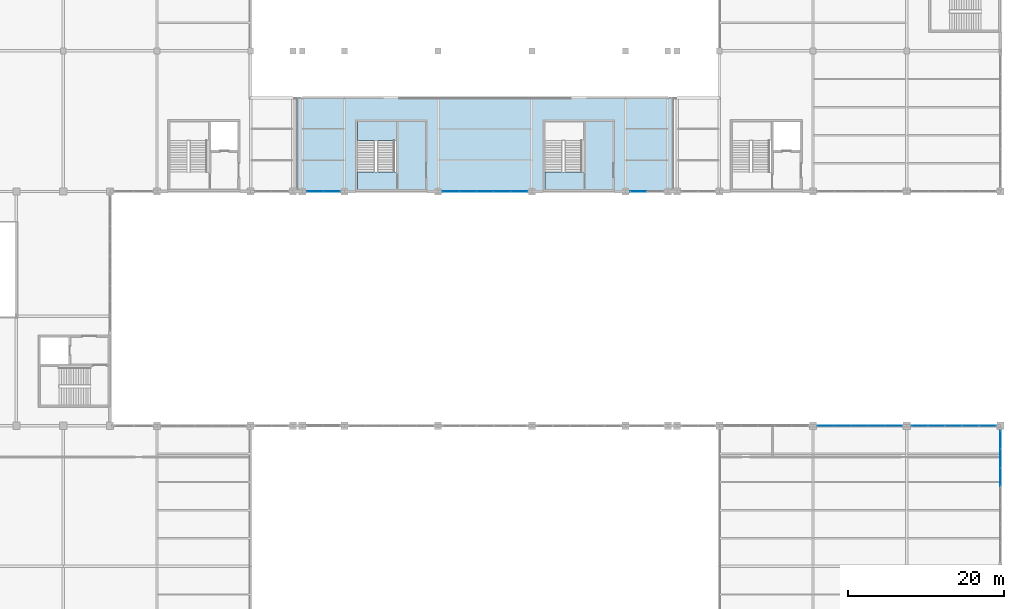
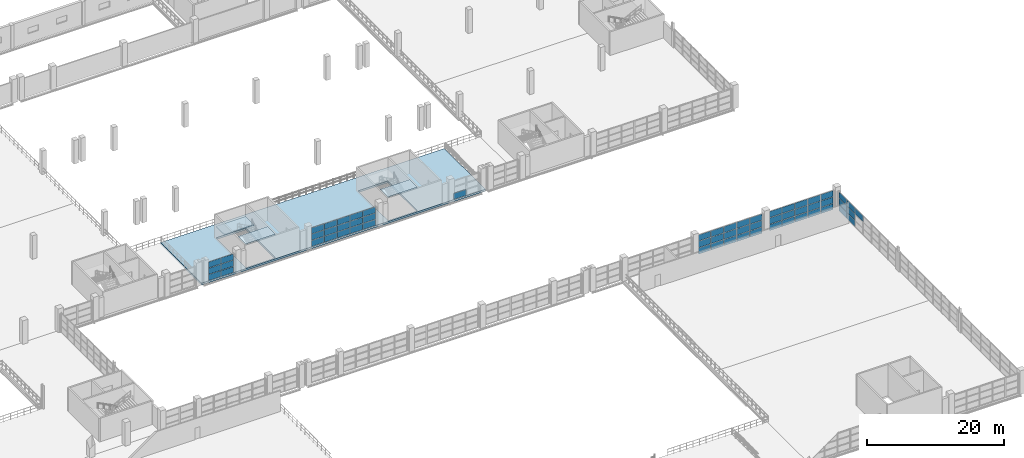
# One storey, part 133 of 158: 59 plates, 4 slabs, 8 elements without a shape of their own.
"""IFC4 building model written with IfcOpenShell, lengths in metres."""

import ifcopenshell
import ifcopenshell.guid

model = None  # the IFC model being written
_history = None  # IfcOwnerHistory: only IFC2X3 demands one
_inside = {}  # id of a spatial element -> (the spatial element, [elements in it])
_under = {}  # id of a project, library or spatial element -> (it, [spatial elements below it])
_declared = {}  # id of a project -> (the project, [libraries it declares])
_typed = {}  # id of a type object -> (the type object, [elements of that type])
_made_of = {}  # id of a material, layer set ... -> (it, [elements and type objects made of it])


def new_model(schema):
    """Start an empty IFC model of exactly this schema.

    Asked for "IFC4X3", IfcOpenShell would pick the latest addendum, in which some entities
    have other attributes; the version numbers below select the first issue.
    IFC2X3 requires an IfcOwnerHistory on every rooted entity: one is made here for all.
    """
    global model, _history
    if schema == "IFC4X3":
        model = ifcopenshell.file(schema_version=(4, 3, 0, 0))
    else:
        model = ifcopenshell.file(schema=schema)
    _inside.clear()
    _under.clear()
    _declared.clear()
    _typed.clear()
    _made_of.clear()
    _history = None
    if model.schema == "IFC2X3":
        org = make("IfcOrganization", Name="unknown")
        user = make(
            "IfcPersonAndOrganization",
            ThePerson=make("IfcPerson", FamilyName="unknown"),
            TheOrganization=org,
        )
        app = make(
            "IfcApplication",
            ApplicationDeveloper=org,
            Version="unknown",
            ApplicationFullName="unknown",
            ApplicationIdentifier="unknown",
        )
        _history = make(
            "IfcOwnerHistory",
            OwningUser=user,
            OwningApplication=app,
            ChangeAction="ADDED",
            CreationDate=0,
        )
    return model


def make(cls, **values):
    """One entity of the class cls with the attributes given. An attribute that is None is left unset."""
    return model.create_entity(
        cls, **{name: value for name, value in values.items() if value is not None}
    )


def rooted(cls, **values):
    """An entity with a GlobalId (a new one), such as an element, a storey or a relation."""
    return make(cls, GlobalId=ifcopenshell.guid.new(), OwnerHistory=_history, **values)


def si_unit(unit_type, name, prefix=None):
    """IfcSIUnit, for example si_unit("LENGTHUNIT", "METRE", prefix="MILLI")."""
    return make("IfcSIUnit", UnitType=unit_type, Prefix=prefix, Name=name)


def assignment(units):
    """IfcUnitAssignment: the units of a project."""
    return None if units is None else make("IfcUnitAssignment", Units=units)


def point(xyz):
    """IfcCartesianPoint."""
    return None if xyz is None else make("IfcCartesianPoint", Coordinates=xyz)


def direction(xyz):
    """IfcDirection."""
    return None if xyz is None else make("IfcDirection", DirectionRatios=xyz)


def frame(location, z_axis=None, x_axis=None):
    """IfcAxis2Placement3D, a coordinate frame: its origin and axes. An axis left out is left unset."""
    return make(
        "IfcAxis2Placement3D",
        Location=point(location),
        Axis=direction(z_axis),
        RefDirection=direction(x_axis),
    )


def frame_2d(location, x_axis=None):
    """IfcAxis2Placement2D, a coordinate frame in the plane: its origin and x axis."""
    return make(
        "IfcAxis2Placement2D", Location=point(location), RefDirection=direction(x_axis)
    )


def origin():
    """The frame at (0, 0, 0) with its axes left unset."""
    return frame((0.0, 0.0, 0.0))


def origin_2d():
    """The frame at (0, 0) in the plane with its x axis left unset."""
    return frame_2d((0.0, 0.0))


def place(relative_to, where):
    """IfcLocalPlacement: puts the frame where relative to a parent placement (None: the world)."""
    return make(
        "IfcLocalPlacement", PlacementRelTo=relative_to, RelativePlacement=where
    )


def context(
    kind, dimensions, precision=None, world=None, true_north=None, identifier=None
):
    """IfcGeometricRepresentationContext, for example the 3D "Model" context."""
    return make(
        "IfcGeometricRepresentationContext",
        ContextIdentifier=identifier,
        ContextType=kind,
        CoordinateSpaceDimension=dimensions,
        Precision=precision,
        WorldCoordinateSystem=world,
        TrueNorth=true_north,
    )


def subcontext(parent, identifier, kind, view, scale=None):
    """IfcGeometricRepresentationSubContext, for example "Body" below "Model"."""
    return make(
        "IfcGeometricRepresentationSubContext",
        ContextIdentifier=identifier,
        ContextType=kind,
        ParentContext=parent,
        TargetScale=scale,
        TargetView=view,
    )


def project(units=None, contexts=None):
    """IfcProject with its units and contexts."""
    return rooted(
        "IfcProject",
        Name="project",
        RepresentationContexts=contexts,
        UnitsInContext=assignment(units),
    )


def spatial(cls, under=None, at=None, **own):
    """A site, building, storey or space (cls), placed at a placement, below another one or the project."""
    s = rooted(cls, ObjectPlacement=at, **own)
    if under is not None:
        _under.setdefault(under.id(), (under, []))[1].append(s)
    return s


def polyline(points):
    """IfcPolyline through the points."""
    return make("IfcPolyline", Points=[point(p) for p in points])


def profile(cls, at=None, kind="AREA", **sizes):
    """A parametric profile (cls). Its sizes go by their IFC names, for example OverallWidth=200.0."""
    return make(cls, ProfileType=kind, Position=at, **sizes)


def rectangle(**sizes):
    """IfcRectangleProfileDef."""
    return profile("IfcRectangleProfileDef", **sizes)


def outline(outer, holes=None, kind="AREA"):
    """IfcArbitraryClosedProfileDef: a profile drawn as a closed curve; with holes, ...WithVoids."""
    if holes is None:
        return make("IfcArbitraryClosedProfileDef", ProfileType=kind, OuterCurve=outer)
    return make(
        "IfcArbitraryProfileDefWithVoids",
        ProfileType=kind,
        OuterCurve=outer,
        InnerCurves=holes,
    )


def extrude(swept, where, along, depth):
    """IfcExtrudedAreaSolid: the profile swept, set in the frame where, extruded along a direction by depth."""
    return make(
        "IfcExtrudedAreaSolid",
        SweptArea=swept,
        Position=where,
        ExtrudedDirection=direction(along),
        Depth=depth,
    )


def shape(context_of_items, identifier, shape_type, items):
    """IfcShapeRepresentation: the items that make up one representation, for example the "Body"."""
    return make(
        "IfcShapeRepresentation",
        ContextOfItems=context_of_items,
        RepresentationIdentifier=identifier,
        RepresentationType=shape_type,
        Items=items,
    )


def material(Name=None, Category=None):
    """IfcMaterial."""
    return make("IfcMaterial", Name=Name, Category=Category)


def layer(
    of_material, thickness, ventilated=None, Name=None, Category=None, Priority=None
):
    """IfcMaterialLayer: one layer of a wall or slab, of a material (None: an air gap)."""
    return make(
        "IfcMaterialLayer",
        Material=of_material,
        LayerThickness=thickness,
        IsVentilated=ventilated,
        Name=Name,
        Category=Category,
        Priority=Priority,
    )


def layer_set(layers, Name=None):
    """IfcMaterialLayerSet."""
    return make("IfcMaterialLayerSet", MaterialLayers=layers, LayerSetName=Name)


def made_of(thing, what):
    """Note that an element or type object is made of a material, layer set ...; save() writes the relation."""
    if what is not None:
        _made_of.setdefault(what.id(), (what, []))[1].append(thing)
    return thing


def type_object(cls, material=None, **own):
    """A type object (cls), such as IfcWallType, which elements share."""
    return made_of(rooted(cls, **own), material)


def element(
    cls,
    number,
    at=None,
    inside=None,
    cuts=None,
    type_object=None,
    material=None,
    context=None,
    identifier="Body",
    shape_type=None,
    held_by="IfcProductDefinitionShape",
    body=None,
    shapes=None,
    **own,
):
    """One element of the class cls, such as IfcWall. Its Tag is "e" and its number.

    at: its placement. inside: the storey or other place that contains it. cuts: it is an
    opening in that element (IfcRelVoidsElement). A single representation is given by context,
    identifier, shape_type and body (its items); several are given by shapes. held_by: the class
    of the entity that holds the representations. save() writes the other relations.
    """
    e = rooted(cls, Tag="e%d" % number, ObjectPlacement=at, **own)
    if body is not None:
        shapes = [shape(context, identifier, shape_type, body)]
    if shapes is not None:
        e.Representation = make(held_by, Representations=shapes)
    if inside is not None:
        _inside.setdefault(inside.id(), (inside, []))[1].append(e)
    if cuts is not None:
        rooted(
            "IfcRelVoidsElement", RelatingBuildingElement=cuts, RelatedOpeningElement=e
        )
    if type_object is not None:
        _typed.setdefault(type_object.id(), (type_object, []))[1].append(e)
    return made_of(e, material)


def aggregate(whole, parts):
    """IfcRelAggregates: a whole, such as a stair, and the parts it consists of."""
    return rooted("IfcRelAggregates", RelatingObject=whole, RelatedObjects=parts)


def save(model, path):
    """Write the relations noted so far, then the file.

    IfcRelAggregates (storeys below a building ...), IfcRelContainedInSpatialStructure (elements
    in a storey), IfcRelDefinesByType, IfcRelAssociatesMaterial and IfcRelDeclares: one each for
    every whole, place, type object, material and project.
    """
    for whole, parts in _under.values():
        aggregate(whole, parts)
    for where, things in _inside.values():
        rooted(
            "IfcRelContainedInSpatialStructure",
            RelatedElements=things,
            RelatingStructure=where,
        )
    for kind, things in _typed.values():
        rooted("IfcRelDefinesByType", RelatedObjects=things, RelatingType=kind)
    for what, things in _made_of.values():
        rooted("IfcRelAssociatesMaterial", RelatedObjects=things, RelatingMaterial=what)
    for by, libraries in _declared.values():
        rooted("IfcRelDeclares", RelatingContext=by, RelatedDefinitions=libraries)
    model.write(path)


model = new_model("IFC4")

# Units and contexts
model_context = context("Model", 3, precision=1e-05, world=origin(), true_north=direction((0.0, 1.0)))
body_context = subcontext(model_context, "Body", "Model", "MODEL_VIEW")
ifc_project = project(units=[si_unit("LENGTHUNIT", "METRE"), si_unit("AREAUNIT", "SQUARE_METRE"), si_unit("VOLUMEUNIT", "CUBIC_METRE"), si_unit("PLANEANGLEUNIT", "RADIAN"), si_unit("MASSUNIT", "GRAM", prefix="KILO")], contexts=[model_context])

# Site, building, storey
site_placement = place(None, origin())
site = spatial("IfcSite", under=ifc_project, at=site_placement, CompositionType="ELEMENT")
building_placement = place(site_placement, origin())
building = spatial("IfcBuilding", under=site, at=building_placement, Name="Zilviju Railside Exhibition Hall", CompositionType="ELEMENT")
storey_placement = place(building_placement, frame((0.0, 0.0, 4.199951171875)))
storey = spatial("IfcBuildingStorey", under=building, at=storey_placement, Name="L02", CompositionType="ELEMENT", Elevation=4.199951171875)

# Curtain wall, plates
ifc_material_1 = material(Name="Thermally broken aluminium-steel triple-glazed curtain wall", Category="steel")
ifc_layer_1 = layer(ifc_material_1, 0.179931640625)
ifc_layer_set_1 = layer_set([ifc_layer_1], Name="Thermally broken aluminium-steel triple-glazed curtain wall")
curtain_wall_type_1 = type_object("IfcCurtainWallType", Name="CW-BAY-07", PredefinedType="USERDEFINED", material=ifc_layer_set_1)
curtain_wall_1_placement = place(storey_placement, origin())
curtain_wall_1 = element("IfcCurtainWall", 1, at=curtain_wall_1_placement, inside=storey, type_object=curtain_wall_type_1, Name="South Hall Garden Court Curtain Wall L02 (192..204)", ObjectType="GLAZED CURTAIN WALL", PredefinedType="USERDEFINED")
ifc_material_2 = material(Name="Laminated acoustic double-glazed porch unit", Category="glass")
ifc_layer_2 = layer(ifc_material_2, 0.031982421875)
ifc_layer_set_2 = layer_set([ifc_layer_2], Name="Laminated acoustic double-glazed porch unit")
plate_type_1 = type_object("IfcPlateType", Name="CWP-IGU-32", PredefinedType="CURTAIN_PANEL", material=ifc_layer_set_2)
plate_1_placement = place(storey_placement, frame((193.655029296875, 54.0, 0.06005859375), z_axis=(0.0, 0.0, 1.0), x_axis=(1.0, 0.0, 0.0)))
plate_1 = element("IfcPlate", 2, at=plate_1_placement, type_object=plate_type_1, Name="CW-07 panel 1.1", PredefinedType="CURTAIN_PANEL", context=body_context, shape_type="SweptSolid", body=[
    extrude(rectangle(XDim=2.090087890625, YDim=0.031982421875, at=origin_2d()), origin(), (0.0, 0.0, 1.0), 1.096923828125),
])
plate_2_placement = place(storey_placement, frame((193.655029296875, 54.0, 1.217041015625), z_axis=(0.0, 0.0, 1.0), x_axis=(1.0, 0.0, 0.0)))
plate_2 = element("IfcPlate", 3, at=plate_2_placement, type_object=plate_type_1, Name="CW-07 panel 1.2", PredefinedType="CURTAIN_PANEL", context=body_context, shape_type="SweptSolid", body=[
    extrude(rectangle(XDim=2.090087890625, YDim=0.031982421875, at=origin_2d()), origin(), (0.0, 0.0, 1.0), 1.1259765625),
])
plate_3_placement = place(storey_placement, frame((193.655029296875, 54.0, 2.4033203125), z_axis=(0.0, 0.0, 1.0), x_axis=(1.0, 0.0, 0.0)))
plate_3 = element("IfcPlate", 4, at=plate_3_placement, type_object=plate_type_1, Name="CW-07 panel 1.3", PredefinedType="CURTAIN_PANEL", context=body_context, shape_type="SweptSolid", body=[
    extrude(rectangle(XDim=2.090087890625, YDim=0.031982421875, at=origin_2d()), origin(), (0.0, 0.0, 1.0), 1.096923828125),
])
plate_4_placement = place(storey_placement, frame((195.820068359375, 54.0, 0.06005859375), z_axis=(0.0, 0.0, 1.0), x_axis=(1.0, 0.0, 0.0)))
plate_4 = element("IfcPlate", 5, at=plate_4_placement, type_object=plate_type_1, Name="CW-07 panel 2.1", PredefinedType="CURTAIN_PANEL", context=body_context, shape_type="SweptSolid", body=[
    extrude(rectangle(XDim=2.1201171875, YDim=0.031982421875, at=origin_2d()), origin(), (0.0, 0.0, 1.0), 1.096923828125),
])
plate_5_placement = place(storey_placement, frame((195.820068359375, 54.0, 1.217041015625), z_axis=(0.0, 0.0, 1.0), x_axis=(1.0, 0.0, 0.0)))
plate_5 = element("IfcPlate", 6, at=plate_5_placement, type_object=plate_type_1, Name="CW-07 panel 2.2", PredefinedType="CURTAIN_PANEL", context=body_context, shape_type="SweptSolid", body=[
    extrude(rectangle(XDim=2.1201171875, YDim=0.031982421875, at=origin_2d()), origin(), (0.0, 0.0, 1.0), 1.1259765625),
])
plate_6_placement = place(storey_placement, frame((195.820068359375, 54.0, 2.4033203125), z_axis=(0.0, 0.0, 1.0), x_axis=(1.0, 0.0, 0.0)))
plate_6 = element("IfcPlate", 7, at=plate_6_placement, type_object=plate_type_1, Name="CW-07 panel 2.3", PredefinedType="CURTAIN_PANEL", context=body_context, shape_type="SweptSolid", body=[
    extrude(rectangle(XDim=2.1201171875, YDim=0.031982421875, at=origin_2d()), origin(), (0.0, 0.0, 1.0), 1.096923828125),
])
plate_7_placement = place(storey_placement, frame((198.0, 54.0, 0.06005859375), z_axis=(0.0, 0.0, 1.0), x_axis=(1.0, 0.0, 0.0)))
plate_7 = element("IfcPlate", 8, at=plate_7_placement, type_object=plate_type_1, Name="CW-07 panel 3.1", PredefinedType="CURTAIN_PANEL", context=body_context, shape_type="SweptSolid", body=[
    extrude(rectangle(XDim=2.1201171875, YDim=0.031982421875, at=origin_2d()), origin(), (0.0, 0.0, 1.0), 1.096923828125),
])
plate_8_placement = place(storey_placement, frame((198.0, 54.0, 1.217041015625), z_axis=(0.0, 0.0, 1.0), x_axis=(1.0, 0.0, 0.0)))
plate_8 = element("IfcPlate", 9, at=plate_8_placement, type_object=plate_type_1, Name="CW-07 panel 3.2", PredefinedType="CURTAIN_PANEL", context=body_context, shape_type="SweptSolid", body=[
    extrude(rectangle(XDim=2.1201171875, YDim=0.031982421875, at=origin_2d()), origin(), (0.0, 0.0, 1.0), 1.1259765625),
])
plate_9_placement = place(storey_placement, frame((198.0, 54.0, 2.4033203125), z_axis=(0.0, 0.0, 1.0), x_axis=(1.0, 0.0, 0.0)))
plate_9 = element("IfcPlate", 10, at=plate_9_placement, type_object=plate_type_1, Name="CW-07 panel 3.3", PredefinedType="CURTAIN_PANEL", context=body_context, shape_type="SweptSolid", body=[
    extrude(rectangle(XDim=2.1201171875, YDim=0.031982421875, at=origin_2d()), origin(), (0.0, 0.0, 1.0), 1.096923828125),
])
plate_10_placement = place(storey_placement, frame((200.179931640625, 54.0, 0.06005859375), z_axis=(0.0, 0.0, 1.0), x_axis=(1.0, 0.0, 0.0)))
plate_10 = element("IfcPlate", 11, at=plate_10_placement, type_object=plate_type_1, Name="CW-07 panel 4.1", PredefinedType="CURTAIN_PANEL", context=body_context, shape_type="SweptSolid", body=[
    extrude(rectangle(XDim=2.1201171875, YDim=0.031982421875, at=origin_2d()), origin(), (0.0, 0.0, 1.0), 1.096923828125),
])
plate_11_placement = place(storey_placement, frame((200.179931640625, 54.0, 1.217041015625), z_axis=(0.0, 0.0, 1.0), x_axis=(1.0, 0.0, 0.0)))
plate_11 = element("IfcPlate", 12, at=plate_11_placement, type_object=plate_type_1, Name="CW-07 panel 4.2", PredefinedType="CURTAIN_PANEL", context=body_context, shape_type="SweptSolid", body=[
    extrude(rectangle(XDim=2.1201171875, YDim=0.031982421875, at=origin_2d()), origin(), (0.0, 0.0, 1.0), 1.1259765625),
])
plate_12_placement = place(storey_placement, frame((200.179931640625, 54.0, 2.4033203125), z_axis=(0.0, 0.0, 1.0), x_axis=(1.0, 0.0, 0.0)))
plate_12 = element("IfcPlate", 13, at=plate_12_placement, type_object=plate_type_1, Name="CW-07 panel 4.3", PredefinedType="CURTAIN_PANEL", context=body_context, shape_type="SweptSolid", body=[
    extrude(rectangle(XDim=2.1201171875, YDim=0.031982421875, at=origin_2d()), origin(), (0.0, 0.0, 1.0), 1.096923828125),
])
plate_13_placement = place(storey_placement, frame((202.344970703125, 54.0, 0.06005859375), z_axis=(0.0, 0.0, 1.0), x_axis=(1.0, 0.0, 0.0)))
plate_13 = element("IfcPlate", 14, at=plate_13_placement, type_object=plate_type_1, Name="CW-07 panel 5.1", PredefinedType="CURTAIN_PANEL", context=body_context, shape_type="SweptSolid", body=[
    extrude(rectangle(XDim=2.090087890625, YDim=0.031982421875, at=origin_2d()), origin(), (0.0, 0.0, 1.0), 1.096923828125),
])
plate_14_placement = place(storey_placement, frame((202.344970703125, 54.0, 1.217041015625), z_axis=(0.0, 0.0, 1.0), x_axis=(1.0, 0.0, 0.0)))
plate_14 = element("IfcPlate", 15, at=plate_14_placement, type_object=plate_type_1, Name="CW-07 panel 5.2", PredefinedType="CURTAIN_PANEL", context=body_context, shape_type="SweptSolid", body=[
    extrude(rectangle(XDim=2.090087890625, YDim=0.031982421875, at=origin_2d()), origin(), (0.0, 0.0, 1.0), 1.1259765625),
])
plate_15_placement = place(storey_placement, frame((202.344970703125, 54.0, 2.4033203125), z_axis=(0.0, 0.0, 1.0), x_axis=(1.0, 0.0, 0.0)))
plate_15 = element("IfcPlate", 16, at=plate_15_placement, type_object=plate_type_1, Name="CW-07 panel 5.3", PredefinedType="CURTAIN_PANEL", context=body_context, shape_type="SweptSolid", body=[
    extrude(rectangle(XDim=2.090087890625, YDim=0.031982421875, at=origin_2d()), origin(), (0.0, 0.0, 1.0), 1.096923828125),
])
aggregate(curtain_wall_1, [plate_1, plate_2, plate_3, plate_4, plate_5, plate_6, plate_7, plate_8, plate_9, plate_10, plate_11, plate_12, plate_13, plate_14, plate_15])

# Curtain wall, plate
ifc_layer_3 = layer(ifc_material_1, 0.179931640625)
ifc_layer_set_3 = layer_set([ifc_layer_3], Name="Thermally broken aluminium-steel triple-glazed curtain wall")
curtain_wall_type_2 = type_object("IfcCurtainWallType", Name="CW-BAY-09", PredefinedType="USERDEFINED", material=ifc_layer_set_3)
curtain_wall_2_placement = place(storey_placement, origin())
curtain_wall_2 = element("IfcCurtainWall", 17, at=curtain_wall_2_placement, inside=storey, type_object=curtain_wall_type_2, Name="North Hall Garden Court Curtain Wall L02 (168..173)", ObjectType="GLAZED CURTAIN WALL", PredefinedType="USERDEFINED")
plate_16_placement = place(storey_placement, frame((169.639892578125, 84.0, 0.06005859375), z_axis=(0.0, 0.0, 1.0), x_axis=(-1.0, 0.0, 0.0)))
plate_16 = element("IfcPlate", 18, at=plate_16_placement, type_object=plate_type_1, Name="CW-09 panel 2.1", PredefinedType="CURTAIN_PANEL", context=body_context, shape_type="SweptSolid", body=[
    extrude(rectangle(XDim=2.06005859375, YDim=0.031982421875, at=origin_2d()), origin(), (0.0, 0.0, 1.0), 1.06005859375),
])
aggregate(curtain_wall_2, [plate_16])

# Curtain wall, plates
ifc_layer_4 = layer(ifc_material_1, 0.179931640625)
ifc_layer_set_4 = layer_set([ifc_layer_4], Name="Thermally broken aluminium-steel triple-glazed curtain wall")
curtain_wall_type_3 = type_object("IfcCurtainWallType", Name="CW-BAY-08", PredefinedType="USERDEFINED", material=ifc_layer_set_4)
curtain_wall_3_placement = place(storey_placement, origin())
curtain_wall_3 = element("IfcCurtainWall", 19, at=curtain_wall_3_placement, inside=storey, type_object=curtain_wall_type_3, Name="North Hall Garden Court Curtain Wall L02 (144..156)", ObjectType="GLAZED CURTAIN WALL", PredefinedType="USERDEFINED")
ifc_material_3 = material(Name="Triple-glazed solar-control glass unit", Category="glass")
ifc_layer_5 = layer(ifc_material_3, 0.0380859375)
ifc_layer_set_5 = layer_set([ifc_layer_5], Name="Triple-glazed solar-control glass unit")
plate_type_2 = type_object("IfcPlateType", Name="CWP-IGU-38", PredefinedType="CURTAIN_PANEL", material=ifc_layer_set_5)
plate_17_placement = place(storey_placement, frame((154.34375, 84.0, 0.06494140625), z_axis=(0.0, 0.0, 1.0), x_axis=(-1.0, 0.0, 0.0)))
plate_17 = element("IfcPlate", 20, at=plate_17_placement, type_object=plate_type_2, Name="CW-08 panel 1.1", PredefinedType="CURTAIN_PANEL", context=body_context, shape_type="SweptSolid", body=[
    extrude(rectangle(XDim=2.08251953125, YDim=0.0380859375, at=origin_2d()), origin(), (0.0, 0.0, 1.0), 1.052490234375),
])
plate_18_placement = place(storey_placement, frame((154.34375, 84.0, 1.1826171875), z_axis=(0.0, 0.0, 1.0), x_axis=(-1.0, 0.0, 0.0)))
plate_18 = element("IfcPlate", 21, at=plate_18_placement, type_object=plate_type_2, Name="CW-08 panel 1.2", PredefinedType="CURTAIN_PANEL", context=body_context, shape_type="SweptSolid", body=[
    extrude(rectangle(XDim=2.08251953125, YDim=0.0380859375, at=origin_2d()), origin(), (0.0, 0.0, 1.0), 1.0849609375),
])
plate_19_placement = place(storey_placement, frame((154.34375, 84.0, 2.33251953125), z_axis=(0.0, 0.0, 1.0), x_axis=(-1.0, 0.0, 0.0)))
plate_19 = element("IfcPlate", 22, at=plate_19_placement, type_object=plate_type_2, Name="CW-08 panel 1.3", PredefinedType="CURTAIN_PANEL", context=body_context, shape_type="SweptSolid", body=[
    extrude(rectangle(XDim=2.08251953125, YDim=0.0380859375, at=origin_2d()), origin(), (0.0, 0.0, 1.0), 1.052490234375),
])
plate_20_placement = place(storey_placement, frame((152.179931640625, 84.0, 0.06494140625), z_axis=(0.0, 0.0, 1.0), x_axis=(-1.0, 0.0, 0.0)))
plate_20 = element("IfcPlate", 23, at=plate_20_placement, type_object=plate_type_2, Name="CW-08 panel 2.1", PredefinedType="CURTAIN_PANEL", context=body_context, shape_type="SweptSolid", body=[
    extrude(rectangle(XDim=2.114990234375, YDim=0.0380859375, at=origin_2d()), origin(), (0.0, 0.0, 1.0), 1.052490234375),
])
plate_21_placement = place(storey_placement, frame((152.179931640625, 84.0, 1.1826171875), z_axis=(0.0, 0.0, 1.0), x_axis=(-1.0, 0.0, 0.0)))
plate_21 = element("IfcPlate", 24, at=plate_21_placement, type_object=plate_type_2, Name="CW-08 panel 2.2", PredefinedType="CURTAIN_PANEL", context=body_context, shape_type="SweptSolid", body=[
    extrude(rectangle(XDim=2.114990234375, YDim=0.0380859375, at=origin_2d()), origin(), (0.0, 0.0, 1.0), 1.0849609375),
])
plate_22_placement = place(storey_placement, frame((152.179931640625, 84.0, 2.33251953125), z_axis=(0.0, 0.0, 1.0), x_axis=(-1.0, 0.0, 0.0)))
plate_22 = element("IfcPlate", 25, at=plate_22_placement, type_object=plate_type_2, Name="CW-08 panel 2.3", PredefinedType="CURTAIN_PANEL", context=body_context, shape_type="SweptSolid", body=[
    extrude(rectangle(XDim=2.114990234375, YDim=0.0380859375, at=origin_2d()), origin(), (0.0, 0.0, 1.0), 1.052490234375),
])
plate_23_placement = place(storey_placement, frame((150.0, 84.0, 0.06494140625), z_axis=(0.0, 0.0, 1.0), x_axis=(-1.0, 0.0, 0.0)))
plate_23 = element("IfcPlate", 26, at=plate_23_placement, type_object=plate_type_2, Name="CW-08 panel 3.1", PredefinedType="CURTAIN_PANEL", context=body_context, shape_type="SweptSolid", body=[
    extrude(rectangle(XDim=2.114990234375, YDim=0.0380859375, at=origin_2d()), origin(), (0.0, 0.0, 1.0), 1.052490234375),
])
plate_24_placement = place(storey_placement, frame((150.0, 84.0, 1.1826171875), z_axis=(0.0, 0.0, 1.0), x_axis=(-1.0, 0.0, 0.0)))
plate_24 = element("IfcPlate", 27, at=plate_24_placement, type_object=plate_type_2, Name="CW-08 panel 3.2", PredefinedType="CURTAIN_PANEL", context=body_context, shape_type="SweptSolid", body=[
    extrude(rectangle(XDim=2.114990234375, YDim=0.0380859375, at=origin_2d()), origin(), (0.0, 0.0, 1.0), 1.0849609375),
])
plate_25_placement = place(storey_placement, frame((150.0, 84.0, 2.33251953125), z_axis=(0.0, 0.0, 1.0), x_axis=(-1.0, 0.0, 0.0)))
plate_25 = element("IfcPlate", 28, at=plate_25_placement, type_object=plate_type_2, Name="CW-08 panel 3.3", PredefinedType="CURTAIN_PANEL", context=body_context, shape_type="SweptSolid", body=[
    extrude(rectangle(XDim=2.114990234375, YDim=0.0380859375, at=origin_2d()), origin(), (0.0, 0.0, 1.0), 1.052490234375),
])
plate_26_placement = place(storey_placement, frame((147.820068359375, 84.0, 0.06494140625), z_axis=(0.0, 0.0, 1.0), x_axis=(-1.0, 0.0, 0.0)))
plate_26 = element("IfcPlate", 29, at=plate_26_placement, type_object=plate_type_2, Name="CW-08 panel 4.1", PredefinedType="CURTAIN_PANEL", context=body_context, shape_type="SweptSolid", body=[
    extrude(rectangle(XDim=2.114990234375, YDim=0.0380859375, at=origin_2d()), origin(), (0.0, 0.0, 1.0), 1.052490234375),
])
plate_27_placement = place(storey_placement, frame((147.820068359375, 84.0, 1.1826171875), z_axis=(0.0, 0.0, 1.0), x_axis=(-1.0, 0.0, 0.0)))
plate_27 = element("IfcPlate", 30, at=plate_27_placement, type_object=plate_type_2, Name="CW-08 panel 4.2", PredefinedType="CURTAIN_PANEL", context=body_context, shape_type="SweptSolid", body=[
    extrude(rectangle(XDim=2.114990234375, YDim=0.0380859375, at=origin_2d()), origin(), (0.0, 0.0, 1.0), 1.0849609375),
])
plate_28_placement = place(storey_placement, frame((147.820068359375, 84.0, 2.33251953125), z_axis=(0.0, 0.0, 1.0), x_axis=(-1.0, 0.0, 0.0)))
plate_28 = element("IfcPlate", 31, at=plate_28_placement, type_object=plate_type_2, Name="CW-08 panel 4.3", PredefinedType="CURTAIN_PANEL", context=body_context, shape_type="SweptSolid", body=[
    extrude(rectangle(XDim=2.114990234375, YDim=0.0380859375, at=origin_2d()), origin(), (0.0, 0.0, 1.0), 1.052490234375),
])
plate_29_placement = place(storey_placement, frame((145.65625, 84.0, 0.06494140625), z_axis=(0.0, 0.0, 1.0), x_axis=(-1.0, 0.0, 0.0)))
plate_29 = element("IfcPlate", 32, at=plate_29_placement, type_object=plate_type_2, Name="CW-08 panel 5.1", PredefinedType="CURTAIN_PANEL", context=body_context, shape_type="SweptSolid", body=[
    extrude(rectangle(XDim=2.08251953125, YDim=0.0380859375, at=origin_2d()), origin(), (0.0, 0.0, 1.0), 1.052490234375),
])
plate_30_placement = place(storey_placement, frame((145.65625, 84.0, 1.1826171875), z_axis=(0.0, 0.0, 1.0), x_axis=(-1.0, 0.0, 0.0)))
plate_30 = element("IfcPlate", 33, at=plate_30_placement, type_object=plate_type_2, Name="CW-08 panel 5.2", PredefinedType="CURTAIN_PANEL", context=body_context, shape_type="SweptSolid", body=[
    extrude(rectangle(XDim=2.08251953125, YDim=0.0380859375, at=origin_2d()), origin(), (0.0, 0.0, 1.0), 1.0849609375),
])
plate_31_placement = place(storey_placement, frame((145.65625, 84.0, 2.33251953125), z_axis=(0.0, 0.0, 1.0), x_axis=(-1.0, 0.0, 0.0)))
plate_31 = element("IfcPlate", 34, at=plate_31_placement, type_object=plate_type_2, Name="CW-08 panel 5.3", PredefinedType="CURTAIN_PANEL", context=body_context, shape_type="SweptSolid", body=[
    extrude(rectangle(XDim=2.08251953125, YDim=0.0380859375, at=origin_2d()), origin(), (0.0, 0.0, 1.0), 1.052490234375),
])
aggregate(curtain_wall_3, [plate_17, plate_18, plate_19, plate_20, plate_21, plate_22, plate_23, plate_24, plate_25, plate_26, plate_27, plate_28, plate_29, plate_30, plate_31])

ifc_layer_6 = layer(ifc_material_1, 0.179931640625)
ifc_layer_set_6 = layer_set([ifc_layer_6], Name="Thermally broken aluminium-steel triple-glazed curtain wall")
curtain_wall_type_4 = type_object("IfcCurtainWallType", Name="CW-BAY-11", PredefinedType="USERDEFINED", material=ifc_layer_set_6)
curtain_wall_4_placement = place(storey_placement, origin())
curtain_wall_4 = element("IfcCurtainWall", 35, at=curtain_wall_4_placement, inside=storey, type_object=curtain_wall_type_4, Name="South Hall East Glazed Gable L02 (36..54)", ObjectType="GLAZED CURTAIN WALL", PredefinedType="USERDEFINED")
ifc_material_4 = material(Name="Triple-glazed low-E argon insulating glass unit", Category="glass")
ifc_layer_7 = layer(ifc_material_4, 0.0439453125)
ifc_layer_set_7 = layer_set([ifc_layer_7], Name="Triple-glazed low-E argon insulating glass unit")
plate_type_3 = type_object("IfcPlateType", Name="CWP-IGU-44", PredefinedType="CURTAIN_PANEL", material=ifc_layer_set_7)
plate_32_placement = place(storey_placement, frame((216.0, 52.225341796875, 0.0703125), z_axis=(0.0, 0.0, 1.0), x_axis=(0.0, -1.0, 0.0)))
plate_32 = element("IfcPlate", 36, at=plate_32_placement, type_object=plate_type_3, Name="CW-11 panel 1.1", PredefinedType="CURTAIN_PANEL", context=body_context, shape_type="SweptSolid", body=[
    extrude(rectangle(XDim=2.309326171875, YDim=0.0439453125, at=origin_2d()), origin(), (0.0, 0.0, 1.0), 1.054931640625),
])
plate_33_placement = place(storey_placement, frame((216.0, 52.225341796875, 1.19482421875), z_axis=(0.0, 0.0, 1.0), x_axis=(0.0, -1.0, 0.0)))
plate_33 = element("IfcPlate", 37, at=plate_33_placement, type_object=plate_type_3, Name="CW-11 panel 1.2", PredefinedType="CURTAIN_PANEL", context=body_context, shape_type="SweptSolid", body=[
    extrude(rectangle(XDim=2.309326171875, YDim=0.0439453125, at=origin_2d()), origin(), (0.0, 0.0, 1.0), 1.090087890625),
])
plate_34_placement = place(storey_placement, frame((216.0, 52.225341796875, 2.35498046875), z_axis=(0.0, 0.0, 1.0), x_axis=(0.0, -1.0, 0.0)))
plate_34 = element("IfcPlate", 38, at=plate_34_placement, type_object=plate_type_3, Name="CW-11 panel 1.3", PredefinedType="CURTAIN_PANEL", context=body_context, shape_type="SweptSolid", body=[
    extrude(rectangle(XDim=2.309326171875, YDim=0.0439453125, at=origin_2d()), origin(), (0.0, 0.0, 1.0), 1.054931640625),
])
plate_35_placement = place(storey_placement, frame((216.0, 49.82861328125, 0.0703125), z_axis=(0.0, 0.0, 1.0), x_axis=(0.0, -1.0, 0.0)))
plate_35 = element("IfcPlate", 39, at=plate_35_placement, type_object=plate_type_3, Name="CW-11 panel 2.1", PredefinedType="CURTAIN_PANEL", context=body_context, shape_type="SweptSolid", body=[
    extrude(rectangle(XDim=2.34423828125, YDim=0.0439453125, at=origin_2d()), origin(), (0.0, 0.0, 1.0), 1.054931640625),
])
plate_36_placement = place(storey_placement, frame((216.0, 49.82861328125, 1.19482421875), z_axis=(0.0, 0.0, 1.0), x_axis=(0.0, -1.0, 0.0)))
plate_36 = element("IfcPlate", 40, at=plate_36_placement, type_object=plate_type_3, Name="CW-11 panel 2.2", PredefinedType="CURTAIN_PANEL", context=body_context, shape_type="SweptSolid", body=[
    extrude(rectangle(XDim=2.34423828125, YDim=0.0439453125, at=origin_2d()), origin(), (0.0, 0.0, 1.0), 1.090087890625),
])
plate_37_placement = place(storey_placement, frame((216.0, 49.82861328125, 2.35498046875), z_axis=(0.0, 0.0, 1.0), x_axis=(0.0, -1.0, 0.0)))
plate_37 = element("IfcPlate", 41, at=plate_37_placement, type_object=plate_type_3, Name="CW-11 panel 2.3", PredefinedType="CURTAIN_PANEL", context=body_context, shape_type="SweptSolid", body=[
    extrude(rectangle(XDim=2.34423828125, YDim=0.0439453125, at=origin_2d()), origin(), (0.0, 0.0, 1.0), 1.054931640625),
])
plate_38_placement = place(storey_placement, frame((216.0, 47.414306640625, 2.35498046875), z_axis=(0.0, 0.0, 1.0), x_axis=(0.0, -1.0, 0.0)))
plate_38 = element("IfcPlate", 42, at=plate_38_placement, type_object=plate_type_3, Name="CW-11 panel 3.3", PredefinedType="CURTAIN_PANEL", context=body_context, shape_type="SweptSolid", body=[
    extrude(rectangle(XDim=2.34423828125, YDim=0.0439453125, at=origin_2d()), origin(), (0.0, 0.0, 1.0), 1.054931640625),
])
aggregate(curtain_wall_4, [plate_32, plate_33, plate_34, plate_35, plate_36, plate_37, plate_38])

curtain_wall_5_placement = place(storey_placement, origin())
curtain_wall_5 = element("IfcCurtainWall", 43, at=curtain_wall_5_placement, inside=storey, type_object=curtain_wall_type_1, Name="North Hall Garden Court Curtain Wall L02 (127..132)", ObjectType="GLAZED CURTAIN WALL", PredefinedType="USERDEFINED")
plate_39_placement = place(storey_placement, frame((130.357421875, 84.0, 0.070068359375), z_axis=(0.0, 0.0, 1.0), x_axis=(-1.0, 0.0, 0.0)))
plate_39 = element("IfcPlate", 44, at=plate_39_placement, type_object=plate_type_3, Name="CW-07 panel 1.1", PredefinedType="CURTAIN_PANEL", context=body_context, shape_type="SweptSolid", body=[
    extrude(rectangle(XDim=2.044921875, YDim=0.0439453125, at=origin_2d()), origin(), (0.0, 0.0, 1.0), 1.044921875),
])
plate_40_placement = place(storey_placement, frame((130.357421875, 84.0, 1.18505859375), z_axis=(0.0, 0.0, 1.0), x_axis=(-1.0, 0.0, 0.0)))
plate_40 = element("IfcPlate", 45, at=plate_40_placement, type_object=plate_type_3, Name="CW-07 panel 1.2", PredefinedType="CURTAIN_PANEL", context=body_context, shape_type="SweptSolid", body=[
    extrude(rectangle(XDim=2.044921875, YDim=0.0439453125, at=origin_2d()), origin(), (0.0, 0.0, 1.0), 1.080078125),
])
plate_41_placement = place(storey_placement, frame((130.357421875, 84.0, 2.335205078125), z_axis=(0.0, 0.0, 1.0), x_axis=(-1.0, 0.0, 0.0)))
plate_41 = element("IfcPlate", 46, at=plate_41_placement, type_object=plate_type_3, Name="CW-07 panel 1.3", PredefinedType="CURTAIN_PANEL", context=body_context, shape_type="SweptSolid", body=[
    extrude(rectangle(XDim=2.044921875, YDim=0.0439453125, at=origin_2d()), origin(), (0.0, 0.0, 1.0), 1.044921875),
])
plate_42_placement = place(storey_placement, frame((128.242431640625, 84.0, 0.070068359375), z_axis=(0.0, 0.0, 1.0), x_axis=(-1.0, 0.0, 0.0)))
plate_42 = element("IfcPlate", 47, at=plate_42_placement, type_object=plate_type_3, Name="CW-07 panel 2.1", PredefinedType="CURTAIN_PANEL", context=body_context, shape_type="SweptSolid", body=[
    extrude(rectangle(XDim=2.044921875, YDim=0.0439453125, at=origin_2d()), origin(), (0.0, 0.0, 1.0), 1.044921875),
])
plate_43_placement = place(storey_placement, frame((128.242431640625, 84.0, 1.18505859375), z_axis=(0.0, 0.0, 1.0), x_axis=(-1.0, 0.0, 0.0)))
plate_43 = element("IfcPlate", 48, at=plate_43_placement, type_object=plate_type_3, Name="CW-07 panel 2.2", PredefinedType="CURTAIN_PANEL", context=body_context, shape_type="SweptSolid", body=[
    extrude(rectangle(XDim=2.044921875, YDim=0.0439453125, at=origin_2d()), origin(), (0.0, 0.0, 1.0), 1.080078125),
])
plate_44_placement = place(storey_placement, frame((128.242431640625, 84.0, 2.335205078125), z_axis=(0.0, 0.0, 1.0), x_axis=(-1.0, 0.0, 0.0)))
plate_44 = element("IfcPlate", 49, at=plate_44_placement, type_object=plate_type_3, Name="CW-07 panel 2.3", PredefinedType="CURTAIN_PANEL", context=body_context, shape_type="SweptSolid", body=[
    extrude(rectangle(XDim=2.044921875, YDim=0.0439453125, at=origin_2d()), origin(), (0.0, 0.0, 1.0), 1.044921875),
])
aggregate(curtain_wall_5, [plate_39, plate_40, plate_41, plate_42, plate_43, plate_44])

curtain_wall_6_placement = place(storey_placement, origin())
curtain_wall_6 = element("IfcCurtainWall", 50, at=curtain_wall_6_placement, inside=storey, type_object=curtain_wall_type_3, Name="South Hall Garden Court Curtain Wall L02 (204..216)", ObjectType="GLAZED CURTAIN WALL", PredefinedType="USERDEFINED")
ifc_material_5 = material(Name="Insulated cobalt-blue enamelled spandrel glass panel", Category="glass")
ifc_layer_8 = layer(ifc_material_5, 0.052001953125)
ifc_layer_set_8 = layer_set([ifc_layer_8], Name="Insulated cobalt-blue enamelled spandrel glass panel")
plate_type_4 = type_object("IfcPlateType", Name="CWP-SPD-52", PredefinedType="CURTAIN_PANEL", material=ifc_layer_set_8)
plate_45_placement = place(storey_placement, frame((205.659912109375, 54.0, 0.080078125), z_axis=(0.0, 0.0, 1.0), x_axis=(1.0, 0.0, 0.0)))
plate_45 = element("IfcPlate", 51, at=plate_45_placement, type_object=plate_type_4, Name="CW-08 panel 1.1", PredefinedType="CURTAIN_PANEL", context=body_context, shape_type="SweptSolid", body=[
    extrude(rectangle(XDim=2.06005859375, YDim=0.052001953125, at=origin_2d()), origin(), (0.0, 0.0, 1.0), 1.06689453125),
])
plate_46_placement = place(storey_placement, frame((205.659912109375, 54.0, 1.22705078125), z_axis=(0.0, 0.0, 1.0), x_axis=(1.0, 0.0, 0.0)))
plate_46 = element("IfcPlate", 52, at=plate_46_placement, type_object=plate_type_4, Name="CW-08 panel 1.2", PredefinedType="CURTAIN_PANEL", context=body_context, shape_type="SweptSolid", body=[
    extrude(rectangle(XDim=2.06005859375, YDim=0.052001953125, at=origin_2d()), origin(), (0.0, 0.0, 1.0), 1.10595703125),
])
plate_47_placement = place(storey_placement, frame((205.659912109375, 54.0, 2.4130859375), z_axis=(0.0, 0.0, 1.0), x_axis=(1.0, 0.0, 0.0)))
plate_47 = element("IfcPlate", 53, at=plate_47_placement, type_object=plate_type_4, Name="CW-08 panel 1.3", PredefinedType="CURTAIN_PANEL", context=body_context, shape_type="SweptSolid", body=[
    extrude(rectangle(XDim=2.06005859375, YDim=0.052001953125, at=origin_2d()), origin(), (0.0, 0.0, 1.0), 1.06689453125),
])
plate_48_placement = place(storey_placement, frame((207.820068359375, 54.0, 0.080078125), z_axis=(0.0, 0.0, 1.0), x_axis=(1.0, 0.0, 0.0)))
plate_48 = element("IfcPlate", 54, at=plate_48_placement, type_object=plate_type_4, Name="CW-08 panel 2.1", PredefinedType="CURTAIN_PANEL", context=body_context, shape_type="SweptSolid", body=[
    extrude(rectangle(XDim=2.10009765625, YDim=0.052001953125, at=origin_2d()), origin(), (0.0, 0.0, 1.0), 1.06689453125),
])
plate_49_placement = place(storey_placement, frame((207.820068359375, 54.0, 1.22705078125), z_axis=(0.0, 0.0, 1.0), x_axis=(1.0, 0.0, 0.0)))
plate_49 = element("IfcPlate", 55, at=plate_49_placement, type_object=plate_type_4, Name="CW-08 panel 2.2", PredefinedType="CURTAIN_PANEL", context=body_context, shape_type="SweptSolid", body=[
    extrude(rectangle(XDim=2.10009765625, YDim=0.052001953125, at=origin_2d()), origin(), (0.0, 0.0, 1.0), 1.10595703125),
])
plate_50_placement = place(storey_placement, frame((207.820068359375, 54.0, 2.4130859375), z_axis=(0.0, 0.0, 1.0), x_axis=(1.0, 0.0, 0.0)))
plate_50 = element("IfcPlate", 56, at=plate_50_placement, type_object=plate_type_4, Name="CW-08 panel 2.3", PredefinedType="CURTAIN_PANEL", context=body_context, shape_type="SweptSolid", body=[
    extrude(rectangle(XDim=2.10009765625, YDim=0.052001953125, at=origin_2d()), origin(), (0.0, 0.0, 1.0), 1.06689453125),
])
plate_51_placement = place(storey_placement, frame((210.0, 54.0, 0.080078125), z_axis=(0.0, 0.0, 1.0), x_axis=(1.0, 0.0, 0.0)))
plate_51 = element("IfcPlate", 57, at=plate_51_placement, type_object=plate_type_4, Name="CW-08 panel 3.1", PredefinedType="CURTAIN_PANEL", context=body_context, shape_type="SweptSolid", body=[
    extrude(rectangle(XDim=2.10009765625, YDim=0.052001953125, at=origin_2d()), origin(), (0.0, 0.0, 1.0), 1.06689453125),
])
plate_52_placement = place(storey_placement, frame((210.0, 54.0, 1.22705078125), z_axis=(0.0, 0.0, 1.0), x_axis=(1.0, 0.0, 0.0)))
plate_52 = element("IfcPlate", 58, at=plate_52_placement, type_object=plate_type_4, Name="CW-08 panel 3.2", PredefinedType="CURTAIN_PANEL", context=body_context, shape_type="SweptSolid", body=[
    extrude(rectangle(XDim=2.10009765625, YDim=0.052001953125, at=origin_2d()), origin(), (0.0, 0.0, 1.0), 1.10595703125),
])
plate_53_placement = place(storey_placement, frame((210.0, 54.0, 2.4130859375), z_axis=(0.0, 0.0, 1.0), x_axis=(1.0, 0.0, 0.0)))
plate_53 = element("IfcPlate", 59, at=plate_53_placement, type_object=plate_type_4, Name="CW-08 panel 3.3", PredefinedType="CURTAIN_PANEL", context=body_context, shape_type="SweptSolid", body=[
    extrude(rectangle(XDim=2.10009765625, YDim=0.052001953125, at=origin_2d()), origin(), (0.0, 0.0, 1.0), 1.06689453125),
])
plate_54_placement = place(storey_placement, frame((212.179931640625, 54.0, 0.080078125), z_axis=(0.0, 0.0, 1.0), x_axis=(1.0, 0.0, 0.0)))
plate_54 = element("IfcPlate", 60, at=plate_54_placement, type_object=plate_type_4, Name="CW-08 panel 4.1", PredefinedType="CURTAIN_PANEL", context=body_context, shape_type="SweptSolid", body=[
    extrude(rectangle(XDim=2.10009765625, YDim=0.052001953125, at=origin_2d()), origin(), (0.0, 0.0, 1.0), 1.06689453125),
])
plate_55_placement = place(storey_placement, frame((212.179931640625, 54.0, 1.22705078125), z_axis=(0.0, 0.0, 1.0), x_axis=(1.0, 0.0, 0.0)))
plate_55 = element("IfcPlate", 61, at=plate_55_placement, type_object=plate_type_4, Name="CW-08 panel 4.2", PredefinedType="CURTAIN_PANEL", context=body_context, shape_type="SweptSolid", body=[
    extrude(rectangle(XDim=2.10009765625, YDim=0.052001953125, at=origin_2d()), origin(), (0.0, 0.0, 1.0), 1.10595703125),
])
plate_56_placement = place(storey_placement, frame((212.179931640625, 54.0, 2.4130859375), z_axis=(0.0, 0.0, 1.0), x_axis=(1.0, 0.0, 0.0)))
plate_56 = element("IfcPlate", 62, at=plate_56_placement, type_object=plate_type_4, Name="CW-08 panel 4.3", PredefinedType="CURTAIN_PANEL", context=body_context, shape_type="SweptSolid", body=[
    extrude(rectangle(XDim=2.10009765625, YDim=0.052001953125, at=origin_2d()), origin(), (0.0, 0.0, 1.0), 1.06689453125),
])
plate_57_placement = place(storey_placement, frame((214.340087890625, 54.0, 0.080078125), z_axis=(0.0, 0.0, 1.0), x_axis=(1.0, 0.0, 0.0)))
plate_57 = element("IfcPlate", 63, at=plate_57_placement, type_object=plate_type_4, Name="CW-08 panel 5.1", PredefinedType="CURTAIN_PANEL", context=body_context, shape_type="SweptSolid", body=[
    extrude(rectangle(XDim=2.06005859375, YDim=0.052001953125, at=origin_2d()), origin(), (0.0, 0.0, 1.0), 1.06689453125),
])
plate_58_placement = place(storey_placement, frame((214.340087890625, 54.0, 1.22705078125), z_axis=(0.0, 0.0, 1.0), x_axis=(1.0, 0.0, 0.0)))
plate_58 = element("IfcPlate", 64, at=plate_58_placement, type_object=plate_type_4, Name="CW-08 panel 5.2", PredefinedType="CURTAIN_PANEL", context=body_context, shape_type="SweptSolid", body=[
    extrude(rectangle(XDim=2.06005859375, YDim=0.052001953125, at=origin_2d()), origin(), (0.0, 0.0, 1.0), 1.10595703125),
])
plate_59_placement = place(storey_placement, frame((214.340087890625, 54.0, 2.4130859375), z_axis=(0.0, 0.0, 1.0), x_axis=(1.0, 0.0, 0.0)))
plate_59 = element("IfcPlate", 65, at=plate_59_placement, type_object=plate_type_4, Name="CW-08 panel 5.3", PredefinedType="CURTAIN_PANEL", context=body_context, shape_type="SweptSolid", body=[
    extrude(rectangle(XDim=2.06005859375, YDim=0.052001953125, at=origin_2d()), origin(), (0.0, 0.0, 1.0), 1.06689453125),
])
aggregate(curtain_wall_6, [plate_45, plate_46, plate_47, plate_48, plate_49, plate_50, plate_51, plate_52, plate_53, plate_54, plate_55, plate_56, plate_57, plate_58, plate_59])

# Slab
ifc_material_6 = material(Name="Concrete C35/45", Category="concrete")
ifc_layer_9 = layer(ifc_material_6, 0.330078125)
ifc_layer_set_9 = layer_set([ifc_layer_9], Name="Concrete C35/45")
slab_type_1 = type_object("IfcSlabType", Name="SL-FLR-330", PredefinedType="FLOOR", material=ifc_layer_set_9)
slab_1_placement = place(storey_placement, frame((0.0, 0.0, -0.329833984375)))
element("IfcSlab", 66, at=slab_1_placement, inside=storey, type_object=slab_type_1, Name="North Hall L02 Court Walkway Mid", PredefinedType="FLOOR", context=body_context, shape_type="SweptSolid", body=[
    extrude(outline(polyline([(126.030029296875, 84.0), (173.969970703125, 84.0), (173.969970703125, 96.0), (126.030029296875, 96.0), (126.030029296875, 84.0)]), holes=[polyline([(133.64990234375, 84.25), (138.64990234375, 84.25), (138.64990234375, 92.949951171875), (133.64990234375, 92.949951171875), (133.64990234375, 84.25)]), polyline([(157.64990234375, 84.25), (162.64990234375, 84.25), (162.64990234375, 92.949951171875), (157.64990234375, 92.949951171875), (157.64990234375, 84.25)])]), origin(), (0.0, 0.0, 1.0), 0.329833984375),
])

# Stair, slabs
stair_type_1 = type_object("IfcStairType", Name="STAIR-ST-B", PredefinedType="HALF_TURN_STAIR", material=ifc_material_6)
stair_1_placement = place(storey_placement, origin())
stair_1 = element("IfcStair", 67, at=stair_1_placement, inside=storey, type_object=stair_type_1, Name="Core C05 North Hall Court MidW Exit Stair L02", PredefinedType="HALF_TURN_STAIR")
ifc_layer_10 = layer(ifc_material_6, 0.199951171875)
ifc_layer_set_10 = layer_set([ifc_layer_10], Name="Concrete C35/45")
slab_type_2 = type_object("IfcSlabType", Name="SL-LAND-200", PredefinedType="LANDING", material=ifc_layer_set_10)
slab_2_placement = place(storey_placement, frame((0.0, 0.0, 1.900146484375)))
slab_2 = element("IfcSlab", 68, at=slab_2_placement, type_object=slab_type_2, Name="ST-05 landing 1", PredefinedType="LANDING", context=body_context, shape_type="SweptSolid", body=[
    extrude(outline(polyline([(133.64990234375, 90.530029296875), (138.64990234375, 90.530029296875), (138.64990234375, 92.949951171875), (133.64990234375, 92.949951171875), (133.64990234375, 90.530029296875)])), origin(), (0.0, 0.0, 1.0), 0.199951171875),
])
slab_3_placement = place(storey_placement, frame((0.0, 0.0, 4.0)))
slab_3 = element("IfcSlab", 69, at=slab_3_placement, type_object=slab_type_2, Name="ST-05 landing 2", PredefinedType="LANDING", context=body_context, shape_type="SweptSolid", body=[
    extrude(outline(polyline([(133.64990234375, 84.25), (138.64990234375, 84.25), (138.64990234375, 86.5), (133.64990234375, 86.5), (133.64990234375, 84.25)])), origin(), (0.0, 0.0, 1.0), 0.199951171875),
])
aggregate(stair_1, [slab_2, slab_3])

# Stair, slab
stair_type_2 = type_object("IfcStairType", Name="STAIR-ST-C", PredefinedType="HALF_TURN_STAIR", material=ifc_material_6)
stair_2_placement = place(storey_placement, origin())
stair_2 = element("IfcStair", 70, at=stair_2_placement, inside=storey, type_object=stair_type_2, Name="Core C06 North Hall Court MidE Exit Stair L02", PredefinedType="HALF_TURN_STAIR")
slab_4_placement = place(storey_placement, frame((0.0, 0.0, 4.0)))
slab_4 = element("IfcSlab", 71, at=slab_4_placement, type_object=slab_type_2, Name="ST-06 landing 2", PredefinedType="LANDING", context=body_context, shape_type="SweptSolid", body=[
    extrude(outline(polyline([(157.64990234375, 84.25), (162.64990234375, 84.25), (162.64990234375, 86.5), (157.64990234375, 86.5), (157.64990234375, 84.25)])), origin(), (0.0, 0.0, 1.0), 0.199951171875),
])
aggregate(stair_2, [slab_4])

save(model, "model.ifc")
